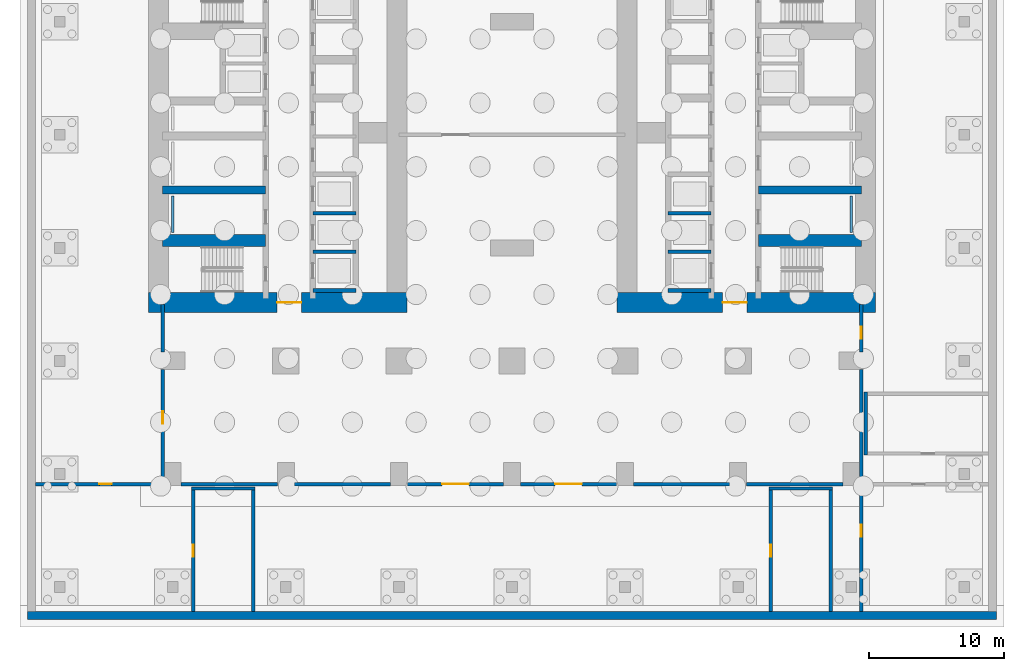
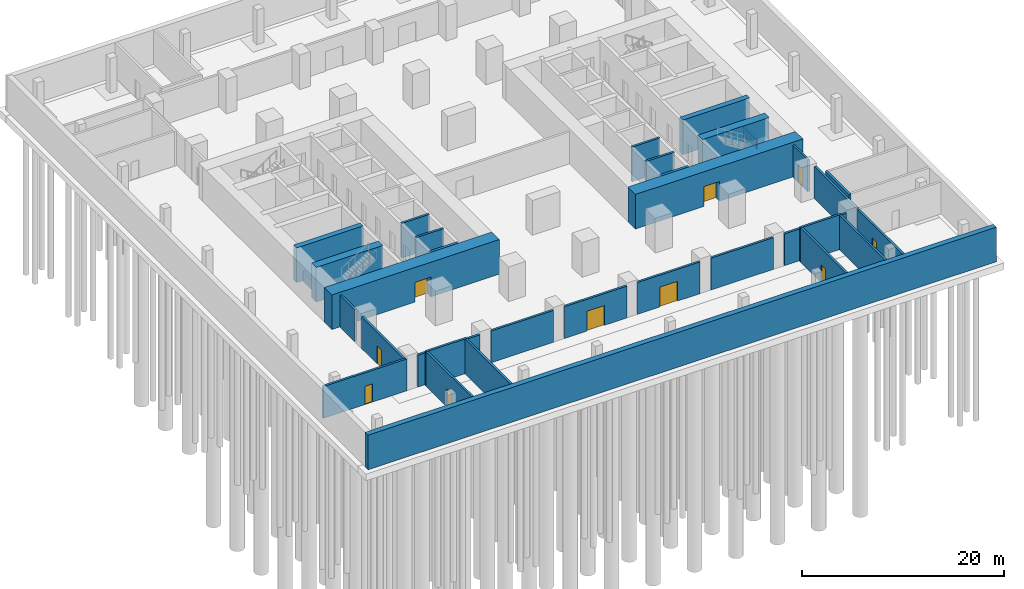
# One storey, part 4 of 11: 34 walls, 10 doors, 10 openings.
"""IFC4 building model written with IfcOpenShell, lengths in metres."""

from ifc_helpers import new_model, si_unit, direction, frame, frame_2d, origin, place, context, subcontext, project, spatial, rectangle, extrude, material, layer, layer_set, type_object, element, fill, save


model = new_model("IFC4")

# Units and contexts
model_context = context("Model", 3, precision=1e-05, world=origin(), true_north=direction((0.0, 1.0)))
body_context = subcontext(model_context, "Body", "Model", "MODEL_VIEW")
ifc_project = project(units=[si_unit("LENGTHUNIT", "METRE"), si_unit("AREAUNIT", "SQUARE_METRE"), si_unit("VOLUMEUNIT", "CUBIC_METRE"), si_unit("PLANEANGLEUNIT", "RADIAN"), si_unit("MASSUNIT", "GRAM", prefix="KILO")], contexts=[model_context])

# Site, building, storey
site_placement = place(None, origin())
site = spatial("IfcSite", under=ifc_project, at=site_placement, CompositionType="ELEMENT")
building_placement = place(site_placement, origin())
building = spatial("IfcBuilding", under=site, at=building_placement, Name="Claustro Exchange Tower", CompositionType="ELEMENT")
storey_placement = place(building_placement, frame((0.0, 0.0, -8.39990234375)))
storey = spatial("IfcBuildingStorey", under=building, at=storey_placement, Name="B2", CompositionType="ELEMENT", Elevation=-8.39990234375)

# Wall, opening, door
ifc_material_1 = material(Name="Concrete blockwork, rendered", Category="masonry")
ifc_layer_1 = layer(ifc_material_1, 0.25)
ifc_layer_set_1 = layer_set([ifc_layer_1], Name="Concrete blockwork, rendered")
wall_type_1 = type_object("IfcWallType", Name="P4 250 blockwork wall", PredefinedType="PARTITIONING", material=ifc_layer_set_1)
wall_1_placement = place(storey_placement, frame((-10.199951171875, -0.75, 0.0), z_axis=(0.0, 0.0, 1.0), x_axis=(1.0, 0.0, 0.0)))
wall_1 = element("IfcWall", 1, at=wall_1_placement, inside=storey, type_object=wall_type_1, Name="Partition P4 B2", PredefinedType="PARTITIONING", context=body_context, shape_type="SweptSolid", body=[
    extrude(rectangle(XDim=9.575927734375, YDim=0.25, at=frame_2d((4.7880859375, 0.0))), origin(), (0.0, 0.0, 1.0), 3.849853515625),
])
opening_1_placement = place(wall_1_placement, frame((4.75, 0.0, 0.0)))
opening_1 = element("IfcOpeningElement", 2, at=opening_1_placement, cuts=wall_1, Name="Opening D12", PredefinedType="OPENING", context=body_context, shape_type="SweptSolid", body=[
    extrude(rectangle(XDim=0.89990234375, YDim=2.199951171875, at=frame_2d((0.449951171875, 1.10009765625))), frame((0.0, 0.135009765625, 0.0), z_axis=(0.0, -1.0, 0.0), x_axis=(1.0, 0.0, 0.0)), (0.0, 0.0, 1.0), 0.27001953125),
])
ifc_material_2 = material(Name="Steel door, painted", Category="steel")
door_type_1 = type_object("IfcDoorType", Name="D12 900 x 2200 plant and store room door", OperationType="SINGLE_SWING_LEFT", PredefinedType="DOOR", material=ifc_material_2)
door_1_placement = place(opening_1_placement, origin())
door_1 = element("IfcDoor", 3, at=door_1_placement, inside=storey, type_object=door_type_1, Name="Door D12 B2", OperationType="SINGLE_SWING_RIGHT", OverallHeight=2.199951171875, OverallWidth=0.89990234375, PredefinedType="DOOR", context=body_context, shape_type="SweptSolid", body=[
    extrude(rectangle(XDim=0.89990234375, YDim=2.199951171875, at=frame_2d((0.449951171875, 1.10009765625))), frame((0.0, 0.02490234375, 0.0), z_axis=(0.0, -1.0, 0.0), x_axis=(1.0, 0.0, 0.0)), (0.0, 0.0, 1.0), 0.050048828125),
])
fill(opening_1, door_1)

# Walls
wall_2_placement = place(storey_placement, frame((0.6240234375, -0.75, 0.0), z_axis=(0.0, 0.0, 1.0), x_axis=(1.0, 0.0, 0.0)))
element("IfcWall", 4, at=wall_2_placement, inside=storey, type_object=wall_type_1, Name="Partition P4 B2", PredefinedType="PARTITIONING", context=body_context, shape_type="SweptSolid", body=[
    extrude(rectangle(XDim=7.15185546875, YDim=0.25, at=frame_2d((3.575927734375, 0.0))), origin(), (0.0, 0.0, 1.0), 3.849853515625),
])
wall_3_placement = place(storey_placement, frame((9.02392578125, -0.75, 0.0), z_axis=(0.0, 0.0, 1.0), x_axis=(1.0, 0.0, 0.0)))
element("IfcWall", 5, at=wall_3_placement, inside=storey, type_object=wall_type_1, Name="Partition P4 B2", PredefinedType="PARTITIONING", context=body_context, shape_type="SweptSolid", body=[
    extrude(rectangle(XDim=7.152099609375, YDim=0.25, at=frame_2d((3.576171875, 0.0))), origin(), (0.0, 0.0, 1.0), 3.849853515625),
])

# Wall, opening, door
wall_4_placement = place(storey_placement, frame((17.424072265625, -0.75, 0.0), z_axis=(0.0, 0.0, 1.0), x_axis=(1.0, 0.0, 0.0)))
wall_4 = element("IfcWall", 6, at=wall_4_placement, inside=storey, type_object=wall_type_1, Name="Partition P4 B2", PredefinedType="PARTITIONING", context=body_context, shape_type="SweptSolid", body=[
    extrude(rectangle(XDim=7.15185546875, YDim=0.25, at=frame_2d((3.575927734375, 0.0))), origin(), (0.0, 0.0, 1.0), 3.849853515625),
])
opening_2_placement = place(wall_4_placement, frame((2.575927734375, 0.0, 0.0)))
opening_2 = element("IfcOpeningElement", 7, at=opening_2_placement, cuts=wall_4, Name="Opening D9", PredefinedType="OPENING", context=body_context, shape_type="SweptSolid", body=[
    extrude(rectangle(XDim=2.0, YDim=2.39990234375, at=frame_2d((1.0, 1.199951171875))), frame((0.0, 0.135009765625, 0.0), z_axis=(0.0, -1.0, 0.0), x_axis=(1.0, 0.0, 0.0)), (0.0, 0.0, 1.0), 0.27001953125),
])
ifc_material_3 = material(Name="Steel fire door, painted", Category="steel")
door_type_2 = type_object("IfcDoorType", Name="D9 2000 x 2400 plant room double door", OperationType="DOUBLE_DOOR_SINGLE_SWING", PredefinedType="DOOR", material=ifc_material_3)
door_2_placement = place(opening_2_placement, frame((2.0, 0.0, 0.0), z_axis=(0.0, 0.0, 1.0), x_axis=(-1.0, 0.0, 0.0)))
door_2 = element("IfcDoor", 8, at=door_2_placement, inside=storey, type_object=door_type_2, Name="Double door D9 B2", OperationType="DOUBLE_DOOR_SINGLE_SWING", OverallHeight=2.39990234375, OverallWidth=2.0, PredefinedType="DOOR", context=body_context, shape_type="SweptSolid", body=[
    extrude(rectangle(XDim=2.0, YDim=2.39990234375, at=frame_2d((1.0, 1.199951171875))), frame((0.0, 0.02490234375, 0.0), z_axis=(0.0, -1.0, 0.0), x_axis=(1.0, 0.0, 0.0)), (0.0, 0.0, 1.0), 0.050048828125),
])
fill(opening_2, door_2)

wall_5_placement = place(storey_placement, frame((25.823974609375, -0.75, 0.0), z_axis=(0.0, 0.0, 1.0), x_axis=(1.0, 0.0, 0.0)))
wall_5 = element("IfcWall", 9, at=wall_5_placement, inside=storey, type_object=wall_type_1, Name="Partition P4 B2", PredefinedType="PARTITIONING", context=body_context, shape_type="SweptSolid", body=[
    extrude(rectangle(XDim=7.152099609375, YDim=0.25, at=frame_2d((3.576171875, 0.0))), origin(), (0.0, 0.0, 1.0), 3.849853515625),
])
opening_3_placement = place(wall_5_placement, frame((2.575927734375, 0.0, 0.0)))
opening_3 = element("IfcOpeningElement", 10, at=opening_3_placement, cuts=wall_5, Name="Opening D9", PredefinedType="OPENING", context=body_context, shape_type="SweptSolid", body=[
    extrude(rectangle(XDim=2.0, YDim=2.39990234375, at=frame_2d((1.0, 1.199951171875))), frame((0.0, 0.135009765625, 0.0), z_axis=(0.0, -1.0, 0.0), x_axis=(1.0, 0.0, 0.0)), (0.0, 0.0, 1.0), 0.27001953125),
])
door_3_placement = place(opening_3_placement, frame((2.0, 0.0, 0.0), z_axis=(0.0, 0.0, 1.0), x_axis=(-1.0, 0.0, 0.0)))
door_3 = element("IfcDoor", 11, at=door_3_placement, inside=storey, type_object=door_type_2, Name="Double door D9 B2", OperationType="DOUBLE_DOOR_SINGLE_SWING", OverallHeight=2.39990234375, OverallWidth=2.0, PredefinedType="DOOR", context=body_context, shape_type="SweptSolid", body=[
    extrude(rectangle(XDim=2.0, YDim=2.39990234375, at=frame_2d((1.0, 1.199951171875))), frame((0.0, 0.02490234375, 0.0), z_axis=(0.0, -1.0, 0.0), x_axis=(1.0, 0.0, 0.0)), (0.0, 0.0, 1.0), 0.050048828125),
])
fill(opening_3, door_3)

# Walls
for number, where, z_axis, x_axis, name in (
    (12, (34.22412109375, -0.75, 0.0), (0.0, 0.0, 1.0), (1.0, 0.0, 0.0), "Partition P4 B2"),
    (13, (42.6240234375, -0.75, 0.0), (0.0, 0.0, 1.0), (1.0, 0.0, 0.0), "Partition P4 B2"),
):
    element("IfcWall", number, at=place(storey_placement, frame(where, z_axis=z_axis, x_axis=x_axis)), inside=storey, type_object=wall_type_1, Name=name, PredefinedType="PARTITIONING", context=body_context, shape_type="SweptSolid", body=[
        extrude(rectangle(XDim=7.15185546875, YDim=0.25, at=frame_2d((3.575927734375, 0.0))), origin(), (0.0, 0.0, 1.0), 3.849853515625),
    ])

# Wall, opening, door
wall_6_placement = place(storey_placement, frame((-0.75, -0.6259765625, 0.0), z_axis=(0.0, 0.0, 1.0), x_axis=(0.0, 1.0, 0.0)))
wall_6 = element("IfcWall", 14, at=wall_6_placement, inside=storey, type_object=wall_type_1, Name="Partition P4 B2", PredefinedType="PARTITIONING", context=body_context, shape_type="SweptSolid", body=[
    extrude(rectangle(XDim=8.376953125, YDim=0.25, at=frame_2d((4.1884765625, 0.0))), origin(), (0.0, 0.0, 1.0), 3.849853515625),
])
opening_4_placement = place(wall_6_placement, frame((4.3759765625, 0.0, 0.0)))
opening_4 = element("IfcOpeningElement", 15, at=opening_4_placement, cuts=wall_6, Name="Opening D12", PredefinedType="OPENING", context=body_context, shape_type="SweptSolid", body=[
    extrude(rectangle(XDim=0.89990234375, YDim=2.199951171875, at=frame_2d((0.449951171875, 1.10009765625))), frame((0.0, 0.135009765625, 0.0), z_axis=(0.0, -1.0, 0.0), x_axis=(1.0, 0.0, 0.0)), (0.0, 0.0, 1.0), 0.27001953125),
])
door_4_placement = place(opening_4_placement, origin())
door_4 = element("IfcDoor", 16, at=door_4_placement, inside=storey, type_object=door_type_1, Name="Door D12 B2", OperationType="SINGLE_SWING_LEFT", OverallHeight=2.199951171875, OverallWidth=0.89990234375, PredefinedType="DOOR", context=body_context, shape_type="SweptSolid", body=[
    extrude(rectangle(XDim=0.89990234375, YDim=2.199951171875, at=frame_2d((0.449951171875, 1.10009765625))), frame((0.0, 0.02490234375, 0.0), z_axis=(0.0, -1.0, 0.0), x_axis=(1.0, 0.0, 0.0)), (0.0, 0.0, 1.0), 0.050048828125),
])
fill(opening_4, door_4)

# Walls
wall_7_placement = place(storey_placement, frame((-0.75, 9.049072265625, 0.0), z_axis=(0.0, 0.0, 1.0), x_axis=(0.0, 1.0, 0.0)))
element("IfcWall", 17, at=wall_7_placement, inside=storey, type_object=wall_type_1, Name="Partition P4 B2", PredefinedType="PARTITIONING", context=body_context, shape_type="SweptSolid", body=[
    extrude(rectangle(XDim=3.531005859375, YDim=0.25, at=frame_2d((1.765625, 0.0))), origin(), (0.0, 0.0, 1.0), 3.849853515625),
])
wall_8_placement = place(storey_placement, frame((51.14990234375, -0.6259765625, 0.0), z_axis=(0.0, 0.0, 1.0), x_axis=(0.0, 1.0, 0.0)))
element("IfcWall", 18, at=wall_8_placement, inside=storey, type_object=wall_type_1, Name="Partition P4 B2", PredefinedType="PARTITIONING", context=body_context, shape_type="SweptSolid", body=[
    extrude(rectangle(XDim=8.376953125, YDim=0.25, at=frame_2d((4.1884765625, 0.0))), origin(), (0.0, 0.0, 1.0), 3.849853515625),
])

# Wall, opening, door
wall_9_placement = place(storey_placement, frame((51.14990234375, 9.049072265625, 0.0), z_axis=(0.0, 0.0, 1.0), x_axis=(0.0, 1.0, 0.0)))
wall_9 = element("IfcWall", 19, at=wall_9_placement, inside=storey, type_object=wall_type_1, Name="Partition P4 B2", PredefinedType="PARTITIONING", context=body_context, shape_type="SweptSolid", body=[
    extrude(rectangle(XDim=3.531005859375, YDim=0.25, at=frame_2d((1.765625, 0.0))), origin(), (0.0, 0.0, 1.0), 3.849853515625),
])
opening_5_placement = place(wall_9_placement, frame((1.0009765625, 0.0, 0.0)))
opening_5 = element("IfcOpeningElement", 20, at=opening_5_placement, cuts=wall_9, Name="Opening D12", PredefinedType="OPENING", context=body_context, shape_type="SweptSolid", body=[
    extrude(rectangle(XDim=0.89990234375, YDim=2.199951171875, at=frame_2d((0.449951171875, 1.10009765625))), frame((0.0, 0.135009765625, 0.0), z_axis=(0.0, -1.0, 0.0), x_axis=(1.0, 0.0, 0.0)), (0.0, 0.0, 1.0), 0.27001953125),
])
door_5_placement = place(opening_5_placement, frame((0.89990234375, 0.0, 0.0), z_axis=(0.0, 0.0, 1.0), x_axis=(-1.0, 0.0, 0.0)))
door_5 = element("IfcDoor", 21, at=door_5_placement, inside=storey, type_object=door_type_1, Name="Door D12 B2", OperationType="SINGLE_SWING_LEFT", OverallHeight=2.199951171875, OverallWidth=0.89990234375, PredefinedType="DOOR", context=body_context, shape_type="SweptSolid", body=[
    extrude(rectangle(XDim=0.89990234375, YDim=2.199951171875, at=frame_2d((0.449951171875, 1.10009765625))), frame((0.0, 0.02490234375, 0.0), z_axis=(0.0, -1.0, 0.0), x_axis=(1.0, 0.0, 0.0)), (0.0, 0.0, 1.0), 0.050048828125),
])
fill(opening_5, door_5)

wall_10_placement = place(storey_placement, frame((51.14990234375, -10.199951171875, 0.0), z_axis=(0.0, 0.0, 1.0), x_axis=(0.0, 1.0, 0.0)))
wall_10 = element("IfcWall", 22, at=wall_10_placement, inside=storey, type_object=wall_type_1, Name="Partition P4 B2", PredefinedType="PARTITIONING", context=body_context, shape_type="SweptSolid", body=[
    extrude(rectangle(XDim=9.325927734375, YDim=0.25, at=frame_2d((4.6630859375, 0.0))), origin(), (0.0, 0.0, 1.0), 3.849853515625),
])
opening_6_placement = place(wall_10_placement, frame((5.550048828125, 0.0, 0.0)))
opening_6 = element("IfcOpeningElement", 23, at=opening_6_placement, cuts=wall_10, Name="Opening D12", PredefinedType="OPENING", context=body_context, shape_type="SweptSolid", body=[
    extrude(rectangle(XDim=0.89990234375, YDim=2.199951171875, at=frame_2d((0.449951171875, 1.10009765625))), frame((0.0, 0.135009765625, 0.0), z_axis=(0.0, -1.0, 0.0), x_axis=(1.0, 0.0, 0.0)), (0.0, 0.0, 1.0), 0.27001953125),
])
door_6_placement = place(opening_6_placement, frame((0.89990234375, 0.0, 0.0), z_axis=(0.0, 0.0, 1.0), x_axis=(-1.0, 0.0, 0.0)))
door_6 = element("IfcDoor", 24, at=door_6_placement, inside=storey, type_object=door_type_1, Name="Door D12 B2", OperationType="SINGLE_SWING_LEFT", OverallHeight=2.199951171875, OverallWidth=0.89990234375, PredefinedType="DOOR", context=body_context, shape_type="SweptSolid", body=[
    extrude(rectangle(XDim=0.89990234375, YDim=2.199951171875, at=frame_2d((0.449951171875, 1.10009765625))), frame((0.0, 0.02490234375, 0.0), z_axis=(0.0, -1.0, 0.0), x_axis=(1.0, 0.0, 0.0)), (0.0, 0.0, 1.0), 0.050048828125),
])
fill(opening_6, door_6)

# Walls
ifc_material_4 = material(Name="Gypsum board on steel studs, tiled", Category="steel")
ifc_layer_2 = layer(ifc_material_4, 0.199951171875)
ifc_layer_set_2 = layer_set([ifc_layer_2], Name="Gypsum board on steel studs, tiled")
wall_type_2 = type_object("IfcWallType", Name="PW1 200 WC duct wall", PredefinedType="PLUMBINGWALL", material=ifc_layer_set_2)
for number, where, z_axis, x_axis, name in (
    (25, (50.39990234375, 17.949951171875, 0.0), (0.0, 0.0, 1.0), (0.0, 1.0, 0.0), "WC duct wall PW1 B2"),
    (26, (0.0, 17.949951171875, 0.0), (0.0, 0.0, 1.0), (0.0, 1.0, 0.0), "WC duct wall PW1 B2"),
):
    element("IfcWall", number, at=place(storey_placement, frame(where, z_axis=z_axis, x_axis=x_axis)), inside=storey, type_object=wall_type_2, Name=name, PredefinedType="PLUMBINGWALL", context=body_context, shape_type="SweptSolid", body=[
        extrude(rectangle(XDim=2.699951171875, YDim=0.199951171875, at=frame_2d((1.35009765625, 0.0))), origin(), (0.0, 0.0, 1.0), 1.199951171875),
    ])
ifc_material_5 = material(Name="Concrete HA-40 (C40/50)", Category="concrete")
ifc_layer_3 = layer(ifc_material_5, 0.60009765625)
ifc_layer_set_3 = layer_set([ifc_layer_3], Name="Concrete HA-40 (C40/50)")
wall_type_3 = type_object("IfcWallType", Name="RW1 600 basement retaining wall", PredefinedType="SOLIDWALL", material=ifc_layer_set_3)
wall_11_placement = place(storey_placement, frame((-10.800048828125, -10.5, 0.0), z_axis=(0.0, 0.0, 1.0), x_axis=(1.0, 0.0, 0.0)))
element("IfcWall", 27, at=wall_11_placement, inside=storey, type_object=wall_type_3, Name="Retaining wall RW1 S B2", PredefinedType="SOLIDWALL", context=body_context, shape_type="SweptSolid", body=[
    extrude(rectangle(XDim=72.0, YDim=0.60009765625, at=frame_2d((36.0, 0.0))), origin(), (0.0, 0.0, 1.0), 4.199951171875),
])

# Wall, opening, door
ifc_material_6 = material(Name="Concrete HA-70 (C70/85)", Category="concrete")
ifc_layer_4 = layer(ifc_material_6, 1.5)
ifc_layer_set_4 = layer_set([ifc_layer_4], Name="Concrete HA-70 (C70/85)")
wall_type_4 = type_object("IfcWallType", Name="SW10 1500 core shear wall", PredefinedType="SHEAR", material=ifc_layer_set_4)
wall_12_placement = place(storey_placement, frame((-1.800048828125, 12.75, 0.0), z_axis=(0.0, 0.0, 1.0), x_axis=(1.0, 0.0, 0.0)))
wall_12 = element("IfcWall", 28, at=wall_12_placement, inside=storey, type_object=wall_type_4, Name="Core wall SW10 W core S face B2", PredefinedType="SHEAR", context=body_context, shape_type="SweptSolid", body=[
    extrude(rectangle(XDim=19.199951171875, YDim=1.5, at=frame_2d((9.60009765625, 0.0))), origin(), (0.0, 0.0, 1.0), 4.199951171875),
])
opening_7_placement = place(wall_12_placement, frame((9.550048828125, 0.0, 0.0)))
opening_7 = element("IfcOpeningElement", 29, at=opening_7_placement, cuts=wall_12, Name="Opening D3", PredefinedType="OPENING", context=body_context, shape_type="SweptSolid", body=[
    extrude(rectangle(XDim=1.800048828125, YDim=2.39990234375, at=frame_2d((0.89990234375, 1.199951171875))), frame((0.0, 0.760009765625, 0.0), z_axis=(0.0, -1.0, 0.0), x_axis=(1.0, 0.0, 0.0)), (0.0, 0.0, 1.0), 1.52001953125),
])
ifc_material_7 = material(Name="Steel fire door, painted", Category="steel")
door_type_3 = type_object("IfcDoorType", Name="D3 1800 x 2400 fire-rated lobby double door", OperationType="DOUBLE_DOOR_SINGLE_SWING", PredefinedType="DOOR", material=ifc_material_7)
door_7_placement = place(opening_7_placement, frame((1.800048828125, 0.0, 0.0), z_axis=(0.0, 0.0, 1.0), x_axis=(-1.0, 0.0, 0.0)))
door_7 = element("IfcDoor", 30, at=door_7_placement, inside=storey, type_object=door_type_3, Name="Lift lobby door D3 B2", OperationType="DOUBLE_DOOR_SINGLE_SWING", OverallHeight=2.39990234375, OverallWidth=1.800048828125, PredefinedType="DOOR", context=body_context, shape_type="SweptSolid", body=[
    extrude(rectangle(XDim=1.800048828125, YDim=2.39990234375, at=frame_2d((0.89990234375, 1.199951171875))), frame((0.0, 0.02490234375, 0.0), z_axis=(0.0, -1.0, 0.0), x_axis=(1.0, 0.0, 0.0)), (0.0, 0.0, 1.0), 0.050048828125),
])
fill(opening_7, door_7)

wall_13_placement = place(storey_placement, frame((33.0, 12.75, 0.0), z_axis=(0.0, 0.0, 1.0), x_axis=(1.0, 0.0, 0.0)))
wall_13 = element("IfcWall", 31, at=wall_13_placement, inside=storey, type_object=wall_type_4, Name="Core wall SW10 E core S face B2", PredefinedType="SHEAR", context=body_context, shape_type="SweptSolid", body=[
    extrude(rectangle(XDim=19.199951171875, YDim=1.5, at=frame_2d((9.60009765625, 0.0))), origin(), (0.0, 0.0, 1.0), 4.199951171875),
])
opening_8_placement = place(wall_13_placement, frame((7.85009765625, 0.0, 0.0)))
opening_8 = element("IfcOpeningElement", 32, at=opening_8_placement, cuts=wall_13, Name="Opening D3", PredefinedType="OPENING", context=body_context, shape_type="SweptSolid", body=[
    extrude(rectangle(XDim=1.800048828125, YDim=2.39990234375, at=frame_2d((0.89990234375, 1.199951171875))), frame((0.0, 0.760009765625, 0.0), z_axis=(0.0, -1.0, 0.0), x_axis=(1.0, 0.0, 0.0)), (0.0, 0.0, 1.0), 1.52001953125),
])
door_8_placement = place(opening_8_placement, frame((1.800048828125, 0.0, 0.0), z_axis=(0.0, 0.0, 1.0), x_axis=(-1.0, 0.0, 0.0)))
door_8 = element("IfcDoor", 33, at=door_8_placement, inside=storey, type_object=door_type_3, Name="Lift lobby door D3 B2", OperationType="DOUBLE_DOOR_SINGLE_SWING", OverallHeight=2.39990234375, OverallWidth=1.800048828125, PredefinedType="DOOR", context=body_context, shape_type="SweptSolid", body=[
    extrude(rectangle(XDim=1.800048828125, YDim=2.39990234375, at=frame_2d((0.89990234375, 1.199951171875))), frame((0.0, 0.02490234375, 0.0), z_axis=(0.0, -1.0, 0.0), x_axis=(1.0, 0.0, 0.0)), (0.0, 0.0, 1.0), 0.050048828125),
])
fill(opening_8, door_8)

# Walls
ifc_material_8 = material(Name="Concrete HA-50 (C50/60)", Category="concrete")
ifc_layer_5 = layer(ifc_material_8, 0.60009765625)
ifc_layer_set_5 = layer_set([ifc_layer_5], Name="Concrete HA-50 (C50/60)")
wall_type_5 = type_object("IfcWallType", Name="SW12 600 internal core wall, core base", PredefinedType="SHEAR", material=ifc_layer_set_5)
for number, where, z_axis, x_axis, name in (
    (34, (-0.75, 21.10009765625, 0.0), (0.0, 0.0, 1.0), (1.0, 0.0, 0.0), "Internal core wall W core B2"),
    (35, (51.14990234375, 21.10009765625, 0.0), (0.0, 0.0, 1.0), (-1.0, 0.0, 0.0), "Internal core wall E core B2"),
):
    element("IfcWall", number, at=place(storey_placement, frame(where, z_axis=z_axis, x_axis=x_axis)), inside=storey, type_object=wall_type_5, Name=name, PredefinedType="SHEAR", context=body_context, shape_type="SweptSolid", body=[
        extrude(rectangle(XDim=7.64990234375, YDim=0.60009765625, at=frame_2d((3.824951171875, 0.0))), origin(), (0.0, 0.0, 1.0), 4.199951171875),
    ])
ifc_material_9 = material(Name="Concrete HA-50 (C50/60)", Category="concrete")
ifc_layer_6 = layer(ifc_material_9, 0.25)
ifc_layer_set_6 = layer_set([ifc_layer_6], Name="Concrete HA-50 (C50/60)")
wall_type_6 = type_object("IfcWallType", Name="SW5 250 lift shaft divider wall", PredefinedType="SHEAR", material=ifc_layer_set_6)
for number, where, z_axis, x_axis, name in (
    (36, (10.39990234375, 16.52490234375, 0.0), (0.0, 0.0, 1.0), (1.0, 0.0, 0.0), "Lift shaft wall W core B2"),
    (37, (10.39990234375, 19.375, 0.0), (0.0, 0.0, 1.0), (1.0, 0.0, 0.0), "Lift shaft wall W core B2"),
):
    element("IfcWall", number, at=place(storey_placement, frame(where, z_axis=z_axis, x_axis=x_axis)), inside=storey, type_object=wall_type_6, Name=name, PredefinedType="SHEAR", context=body_context, shape_type="SweptSolid", body=[
        extrude(rectangle(XDim=3.2001953125, YDim=0.25, at=frame_2d((1.60009765625, 0.0))), origin(), (0.0, 0.0, 1.0), 4.199951171875),
    ])
for number, where, z_axis, x_axis, name in (
    (38, (40.0, 16.52490234375, 0.0), (0.0, 0.0, 1.0), (-1.0, 0.0, 0.0), "Lift shaft wall E core B2"),
    (39, (40.0, 19.375, 0.0), (0.0, 0.0, 1.0), (-1.0, 0.0, 0.0), "Lift shaft wall E core B2"),
):
    element("IfcWall", number, at=place(storey_placement, frame(where, z_axis=z_axis, x_axis=x_axis)), inside=storey, type_object=wall_type_6, Name=name, PredefinedType="SHEAR", context=body_context, shape_type="SweptSolid", body=[
        extrude(rectangle(XDim=3.199951171875, YDim=0.25, at=frame_2d((1.60009765625, 0.0))), origin(), (0.0, 0.0, 1.0), 4.199951171875),
    ])
ifc_material_10 = material(Name="Concrete HA-50 (C50/60)", Category="concrete")
ifc_layer_7 = layer(ifc_material_10, 0.300048828125)
ifc_layer_set_7 = layer_set([ifc_layer_7], Name="Concrete HA-50 (C50/60)")
wall_type_7 = type_object("IfcWallType", Name="SW6A 300 lift shaft end wall", PredefinedType="SHEAR", material=ifc_layer_set_7)
wall_14_placement = place(storey_placement, frame((10.39990234375, 13.64990234375, 0.0), z_axis=(0.0, 0.0, 1.0), x_axis=(1.0, 0.0, 0.0)))
element("IfcWall", 40, at=wall_14_placement, inside=storey, type_object=wall_type_7, Name="Lift shaft wall W core B2", PredefinedType="SHEAR", context=body_context, shape_type="SweptSolid", body=[
    extrude(rectangle(XDim=3.2001953125, YDim=0.300048828125, at=frame_2d((1.60009765625, 0.0))), origin(), (0.0, 0.0, 1.0), 4.199951171875),
])
wall_15_placement = place(storey_placement, frame((40.0, 13.64990234375, 0.0), z_axis=(0.0, 0.0, 1.0), x_axis=(-1.0, 0.0, 0.0)))
element("IfcWall", 41, at=wall_15_placement, inside=storey, type_object=wall_type_7, Name="Lift shaft wall E core B2", PredefinedType="SHEAR", context=body_context, shape_type="SweptSolid", body=[
    extrude(rectangle(XDim=3.199951171875, YDim=0.300048828125, at=frame_2d((1.60009765625, 0.0))), origin(), (0.0, 0.0, 1.0), 4.199951171875),
])

# Wall, opening, door
ifc_material_11 = material(Name="Concrete HA-40 (C40/50)", Category="concrete")
ifc_layer_8 = layer(ifc_material_11, 0.25)
ifc_layer_set_8 = layer_set([ifc_layer_8], Name="Concrete HA-40 (C40/50)")
wall_type_8 = type_object("IfcWallType", Name="SW7 250 reinforced concrete stair wall", PredefinedType="SOLIDWALL", material=ifc_layer_set_8)
wall_16_placement = place(storey_placement, frame((1.52490234375, -10.201904296875, 0.0), z_axis=(0.0, 0.0, 1.0), x_axis=(0.0, 1.0, 0.0)))
wall_16 = element("IfcWall", 42, at=wall_16_placement, inside=storey, type_object=wall_type_8, Name="Stair enclosure wall STP1 SW7 B2", PredefinedType="SOLIDWALL", context=body_context, shape_type="SweptSolid", body=[
    extrude(rectangle(XDim=9.001953125, YDim=0.25, at=frame_2d((4.5009765625, 0.0))), origin(), (0.0, 0.0, 1.0), 4.199951171875),
])
opening_9_placement = place(wall_16_placement, frame((4.050048828125, 0.0, 0.0)))
opening_9 = element("IfcOpeningElement", 43, at=opening_9_placement, cuts=wall_16, Name="Opening D12", PredefinedType="OPENING", context=body_context, shape_type="SweptSolid", body=[
    extrude(rectangle(XDim=0.89990234375, YDim=2.199951171875, at=frame_2d((0.449951171875, 1.10009765625))), frame((0.0, 0.135009765625, 0.0), z_axis=(0.0, -1.0, 0.0), x_axis=(1.0, 0.0, 0.0)), (0.0, 0.0, 1.0), 0.27001953125),
])
door_9_placement = place(opening_9_placement, frame((0.89990234375, 0.0, 0.0), z_axis=(0.0, 0.0, 1.0), x_axis=(-1.0, 0.0, 0.0)))
door_9 = element("IfcDoor", 44, at=door_9_placement, inside=storey, type_object=door_type_1, Name="Store door STP1 D12 B2", OperationType="SINGLE_SWING_RIGHT", OverallHeight=2.199951171875, OverallWidth=0.89990234375, PredefinedType="DOOR", context=body_context, shape_type="SweptSolid", body=[
    extrude(rectangle(XDim=0.89990234375, YDim=2.199951171875, at=frame_2d((0.449951171875, 1.10009765625))), frame((0.0, 0.02490234375, 0.0), z_axis=(0.0, -1.0, 0.0), x_axis=(1.0, 0.0, 0.0)), (0.0, 0.0, 1.0), 0.050048828125),
])
fill(opening_9, door_9)

# Walls
wall_17_placement = place(storey_placement, frame((5.97509765625, -10.201904296875, 0.0), z_axis=(0.0, 0.0, 1.0), x_axis=(0.0, 1.0, 0.0)))
element("IfcWall", 45, at=wall_17_placement, inside=storey, type_object=wall_type_8, Name="Stair enclosure wall STP1 SW7 B2", PredefinedType="SOLIDWALL", context=body_context, shape_type="SweptSolid", body=[
    extrude(rectangle(XDim=9.001953125, YDim=0.25, at=frame_2d((4.5009765625, 0.0))), origin(), (0.0, 0.0, 1.0), 4.199951171875),
])
wall_18_placement = place(storey_placement, frame((1.39990234375, -1.074951171875, 0.0), z_axis=(0.0, 0.0, 1.0), x_axis=(1.0, 0.0, 0.0)))
element("IfcWall", 46, at=wall_18_placement, inside=storey, type_object=wall_type_8, Name="Stair enclosure wall STP1 SW7 B2", PredefinedType="SOLIDWALL", context=body_context, shape_type="SweptSolid", body=[
    extrude(rectangle(XDim=4.7001953125, YDim=0.25, at=frame_2d((2.35009765625, 0.0))), origin(), (0.0, 0.0, 1.0), 4.199951171875),
])

# Wall, opening, door
wall_19_placement = place(storey_placement, frame((44.425048828125, -10.201904296875, 0.0), z_axis=(0.0, 0.0, 1.0), x_axis=(0.0, 1.0, 0.0)))
wall_19 = element("IfcWall", 47, at=wall_19_placement, inside=storey, type_object=wall_type_8, Name="Stair enclosure wall STP2 SW7 B2", PredefinedType="SOLIDWALL", context=body_context, shape_type="SweptSolid", body=[
    extrude(rectangle(XDim=9.001953125, YDim=0.25, at=frame_2d((4.5009765625, 0.0))), origin(), (0.0, 0.0, 1.0), 4.199951171875),
])
opening_10_placement = place(wall_19_placement, frame((4.050048828125, 0.0, 0.0)))
opening_10 = element("IfcOpeningElement", 48, at=opening_10_placement, cuts=wall_19, Name="Opening D12", PredefinedType="OPENING", context=body_context, shape_type="SweptSolid", body=[
    extrude(rectangle(XDim=0.89990234375, YDim=2.199951171875, at=frame_2d((0.449951171875, 1.10009765625))), frame((0.0, 0.135009765625, 0.0), z_axis=(0.0, -1.0, 0.0), x_axis=(1.0, 0.0, 0.0)), (0.0, 0.0, 1.0), 0.27001953125),
])
door_10_placement = place(opening_10_placement, frame((0.89990234375, 0.0, 0.0), z_axis=(0.0, 0.0, 1.0), x_axis=(-1.0, 0.0, 0.0)))
door_10 = element("IfcDoor", 49, at=door_10_placement, inside=storey, type_object=door_type_1, Name="Store door STP2 D12 B2", OperationType="SINGLE_SWING_RIGHT", OverallHeight=2.199951171875, OverallWidth=0.89990234375, PredefinedType="DOOR", context=body_context, shape_type="SweptSolid", body=[
    extrude(rectangle(XDim=0.89990234375, YDim=2.199951171875, at=frame_2d((0.449951171875, 1.10009765625))), frame((0.0, 0.02490234375, 0.0), z_axis=(0.0, -1.0, 0.0), x_axis=(1.0, 0.0, 0.0)), (0.0, 0.0, 1.0), 0.050048828125),
])
fill(opening_10, door_10)

# Walls
wall_20_placement = place(storey_placement, frame((48.875, -10.201904296875, 0.0), z_axis=(0.0, 0.0, 1.0), x_axis=(0.0, 1.0, 0.0)))
element("IfcWall", 50, at=wall_20_placement, inside=storey, type_object=wall_type_8, Name="Stair enclosure wall STP2 SW7 B2", PredefinedType="SOLIDWALL", context=body_context, shape_type="SweptSolid", body=[
    extrude(rectangle(XDim=9.001953125, YDim=0.25, at=frame_2d((4.5009765625, 0.0))), origin(), (0.0, 0.0, 1.0), 4.199951171875),
])
wall_21_placement = place(storey_placement, frame((44.300048828125, -1.074951171875, 0.0), z_axis=(0.0, 0.0, 1.0), x_axis=(1.0, 0.0, 0.0)))
element("IfcWall", 51, at=wall_21_placement, inside=storey, type_object=wall_type_8, Name="Stair enclosure wall STP2 SW7 B2", PredefinedType="SOLIDWALL", context=body_context, shape_type="SweptSolid", body=[
    extrude(rectangle(XDim=4.699951171875, YDim=0.25, at=frame_2d((2.35009765625, 0.0))), origin(), (0.0, 0.0, 1.0), 4.199951171875),
])
wall_22_placement = place(storey_placement, frame((51.47509765625, 1.39990234375, 0.0), z_axis=(0.0, 0.0, 1.0), x_axis=(0.0, 1.0, 0.0)))
element("IfcWall", 52, at=wall_22_placement, inside=storey, type_object=wall_type_8, Name="Stair enclosure wall STP6 SW7 B2", PredefinedType="SOLIDWALL", context=body_context, shape_type="SweptSolid", body=[
    extrude(rectangle(XDim=4.7001953125, YDim=0.25, at=frame_2d((2.35009765625, 0.0))), origin(), (0.0, 0.0, 1.0), 4.199951171875),
])
ifc_material_12 = material(Name="Concrete HA-70 (C70/85)", Category="concrete")
ifc_layer_9 = layer(ifc_material_12, 0.89990234375)
ifc_layer_set_9 = layer_set([ifc_layer_9], Name="Concrete HA-70 (C70/85)")
wall_type_9 = type_object("IfcWallType", Name="SW8 900 internal core wall, core base", PredefinedType="SHEAR", material=ifc_layer_set_9)
for number, where, z_axis, x_axis, name in (
    (53, (-0.75, 17.35009765625, 0.0), (0.0, 0.0, 1.0), (1.0, 0.0, 0.0), "Internal core wall W core B2"),
    (54, (51.14990234375, 17.35009765625, 0.0), (0.0, 0.0, 1.0), (-1.0, 0.0, 0.0), "Internal core wall E core B2"),
):
    element("IfcWall", number, at=place(storey_placement, frame(where, z_axis=z_axis, x_axis=x_axis)), inside=storey, type_object=wall_type_9, Name=name, PredefinedType="SHEAR", context=body_context, shape_type="SweptSolid", body=[
        extrude(rectangle(XDim=7.64990234375, YDim=0.89990234375, at=frame_2d((3.824951171875, 0.0))), origin(), (0.0, 0.0, 1.0), 4.199951171875),
    ])

save(model, "model.ifc")
